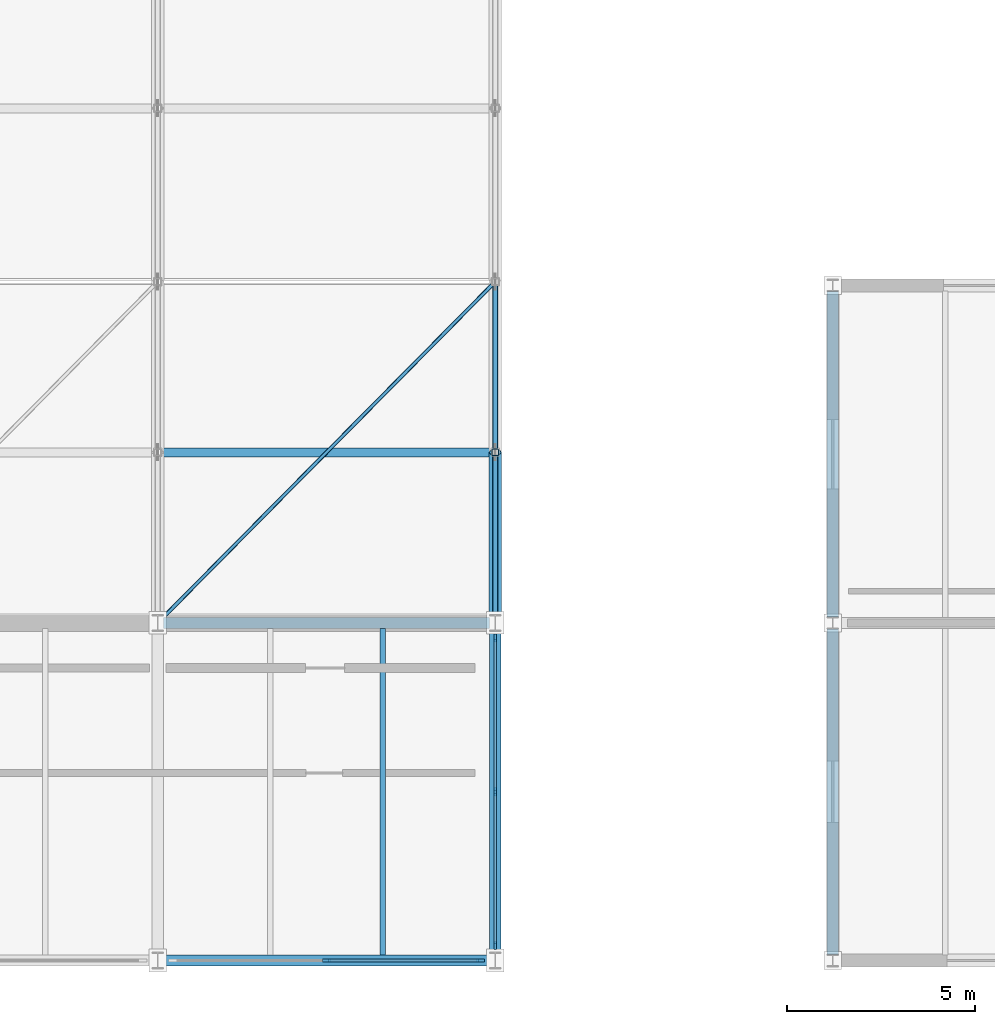
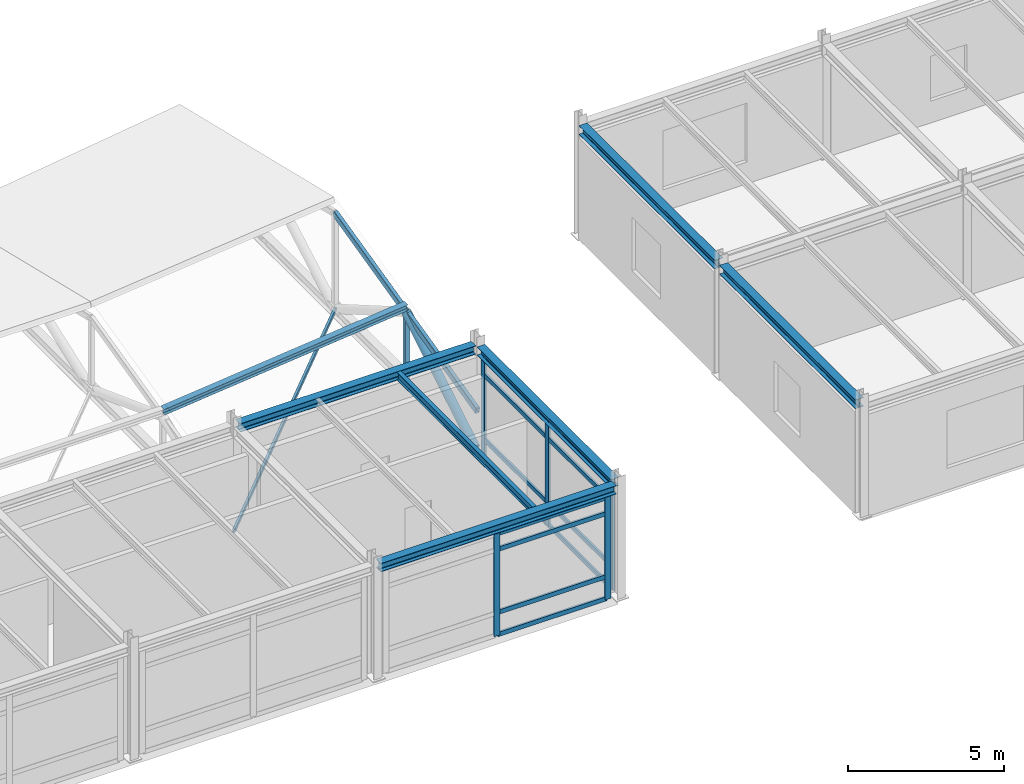
# One storey, part 25 of 90: 22 members, 6 beams, 2 elements without a shape of their own.
"""IFC4 building model written with IfcOpenShell, lengths in metres."""

from ifc_helpers import new_model, si_unit, direction, frame, origin, origin_2d, place, context, subcontext, project, spatial, rectangle, hollow_rectangle, hollow_circle, i_section, extrude, material, material_profile, profile_set, type_object, element, aggregate, save


model = new_model("IFC4")

# Units and contexts
model_context = context("Model", 3, precision=1e-05, world=origin(), true_north=direction((0.0, 1.0)))
body_context = subcontext(model_context, "Body", "Model", "MODEL_VIEW")
ifc_project = project(units=[si_unit("LENGTHUNIT", "METRE"), si_unit("AREAUNIT", "SQUARE_METRE"), si_unit("VOLUMEUNIT", "CUBIC_METRE"), si_unit("PLANEANGLEUNIT", "RADIAN"), si_unit("MASSUNIT", "GRAM", prefix="KILO")], contexts=[model_context])

# Site, building, storey
site_placement = place(None, origin())
site = spatial("IfcSite", under=ifc_project, at=site_placement, CompositionType="ELEMENT")
building_placement = place(site_placement, origin())
building = spatial("IfcBuilding", under=site, at=building_placement, Name="Bozkorgan Art Gallery", CompositionType="ELEMENT")
storey_placement = place(building_placement, frame((0.0, 0.0, 5.39990234375)))
storey = spatial("IfcBuildingStorey", under=building, at=storey_placement, Name="L01", CompositionType="ELEMENT", Elevation=5.39990234375)

# Beams
ifc_material_1 = material(Name="Steel S355J2", Category="steel")
ifc_material_profile_1 = material_profile(ifc_material_1, i_section(OverallWidth=0.14990234375, OverallDepth=0.300048828125, WebThickness=0.007080078125, FlangeThickness=0.0107421875, FilletRadius=0.014892578125, at=origin_2d()), Name="IPE 300")
ifc_profile_set_1 = profile_set([ifc_material_profile_1], Name="Steel S355J2")
beam_type_1 = type_object("IfcBeamType", Name="BEAM-JS-88", PredefinedType="JOIST", material=ifc_profile_set_1)
beam_1_placement = place(storey_placement, frame((116.0, 2.14990234375, 4.2900390625), z_axis=(0.0, 1.0, 0.0), x_axis=(-1.0, 0.0, 0.0)))
element("IfcBeam", 1, at=beam_1_placement, inside=storey, type_object=beam_type_1, Name="V3 L01 secondary joist (110-119, 2.0-11.0) #2", PredefinedType="JOIST", context=body_context, shape_type="SweptSolid", body=[
    extrude(i_section(OverallWidth=0.14990234375, OverallDepth=0.300048828125, WebThickness=0.007080078125, FlangeThickness=0.0107421875, FilletRadius=0.014892578125, at=origin_2d()), origin(), (0.0, 0.0, 1.0), 8.7001953125),
])
ifc_material_profile_2 = material_profile(ifc_material_1, i_section(OverallWidth=0.300048828125, OverallDepth=0.330078125, WebThickness=0.009521484375, FlangeThickness=0.0166015625, FilletRadius=0.027099609375, at=origin_2d()), Name="HEA 340")
ifc_profile_set_2 = profile_set([ifc_material_profile_2], Name="Steel S355J2")
beam_type_2 = type_object("IfcBeamType", Name="BEAM-SP-91", PredefinedType="SPANDREL", material=ifc_profile_set_2)
for number, where, z_axis, x_axis, name in (
    (2, (110.14990234375, 2.0, 4.275146484375), (1.0, 0.0, 0.0), (0.0, 1.0, 0.0), "V3 L01 spandrel X (110-119, 2.0)"),
    (3, (110.14990234375, 11.0, 4.275146484375), (1.0, 0.0, 0.0), (0.0, 1.0, 0.0), "V3 L01 spandrel X (110-119, 11.0)"),
):
    element("IfcBeam", number, at=place(storey_placement, frame(where, z_axis=z_axis, x_axis=x_axis)), inside=storey, type_object=beam_type_2, Name=name, PredefinedType="SPANDREL", context=body_context, shape_type="SweptSolid", body=[
        extrude(i_section(OverallWidth=0.300048828125, OverallDepth=0.330078125, WebThickness=0.009521484375, FlangeThickness=0.0166015625, FilletRadius=0.027099609375, at=origin_2d()), origin(), (0.0, 0.0, 1.0), 8.7001953125),
    ])
beam_2_placement = place(storey_placement, frame((119.0, 2.219970703125, 4.275146484375), z_axis=(0.0, 1.0, 0.0), x_axis=(-1.0, 0.0, 0.0)))
element("IfcBeam", 4, at=beam_2_placement, inside=storey, type_object=beam_type_2, Name="V3 L01 spandrel Y (119, 2.0-11.0)", PredefinedType="SPANDREL", context=body_context, shape_type="SweptSolid", body=[
    extrude(i_section(OverallWidth=0.300048828125, OverallDepth=0.330078125, WebThickness=0.009521484375, FlangeThickness=0.0166015625, FilletRadius=0.027099609375, at=origin_2d()), origin(), (0.0, 0.0, 1.0), 8.56005859375),
])
ifc_material_profile_3 = material_profile(ifc_material_1, i_section(OverallWidth=0.300048828125, OverallDepth=0.35009765625, WebThickness=0.010009765625, FlangeThickness=0.017578125, FilletRadius=0.027099609375, at=origin_2d()), Name="HEA 360")
ifc_profile_set_3 = profile_set([ifc_material_profile_3], Name="Steel S355J2")
beam_type_3 = type_object("IfcBeamType", Name="BEAM-SP-97", PredefinedType="SPANDREL", material=ifc_profile_set_3)
for number, where, z_axis, x_axis, name in (
    (5, (128.0, 2.159912109375, 4.26513671875), (0.0, 1.0, 0.0), (-1.0, 0.0, 0.0), "V6 L01 spandrel Y (128, 2.0-11.0)"),
    (6, (128.0, 11.159912109375, 4.26513671875), (0.0, 1.0, 0.0), (-1.0, 0.0, 0.0), "V6 L01 spandrel Y (128, 11.0-20.0)"),
):
    element("IfcBeam", number, at=place(storey_placement, frame(where, z_axis=z_axis, x_axis=x_axis)), inside=storey, type_object=beam_type_3, Name=name, PredefinedType="SPANDREL", context=body_context, shape_type="SweptSolid", body=[
        extrude(i_section(OverallWidth=0.300048828125, OverallDepth=0.35009765625, WebThickness=0.010009765625, FlangeThickness=0.017578125, FilletRadius=0.027099609375, at=origin_2d()), origin(), (0.0, 0.0, 1.0), 8.68017578125),
    ])

# Curtain wall, members
ifc_material_2 = material(Name="Anodised Bronze Aluminium", Category="aluminium")
curtain_wall_type_1 = type_object("IfcCurtainWallType", Name="CW-CW-44", PredefinedType="NOTDEFINED", material=ifc_material_2)
curtain_wall_1_placement = place(storey_placement, origin())
curtain_wall_1 = element("IfcCurtainWall", 7, at=curtain_wall_1_placement, inside=storey, type_object=curtain_wall_type_1, Name="L01 unitised curtain wall CW-V3-L01-1S-07", PredefinedType="NOTDEFINED")
ifc_material_profile_4 = material_profile(ifc_material_2, rectangle(XDim=0.074951171875, YDim=0.219970703125, at=origin_2d()), Name="ALU MULLION 75x220")
ifc_profile_set_4 = profile_set([ifc_material_profile_4], Name="Anodised Bronze Aluminium")
member_type_1 = type_object("IfcMemberType", Name="CWM-02", PredefinedType="MULLION", material=ifc_profile_set_4)
member_1_placement = place(storey_placement, frame((114.5, 2.0, 0.02001953125), z_axis=(0.0, 0.0, 1.0), x_axis=(0.0, 1.0, 0.0)))
member_1 = element("IfcMember", 8, at=member_1_placement, type_object=member_type_1, Name="CW-44 mullion 2", PredefinedType="MULLION", context=body_context, shape_type="SweptSolid", body=[
    extrude(rectangle(XDim=0.074951171875, YDim=0.219970703125, at=origin_2d()), origin(), (0.0, 0.0, 1.0), 4.01513671875),
])
member_2_placement = place(storey_placement, frame((118.597412109375, 2.0, 0.02001953125), z_axis=(0.0, 0.0, 1.0), x_axis=(0.0, 1.0, 0.0)))
member_2 = element("IfcMember", 9, at=member_2_placement, type_object=member_type_1, Name="CW-44 mullion 3", PredefinedType="MULLION", context=body_context, shape_type="SweptSolid", body=[
    extrude(rectangle(XDim=0.074951171875, YDim=0.219970703125, at=origin_2d()), origin(), (0.0, 0.0, 1.0), 4.01513671875),
])

curtain_wall_type_2 = type_object("IfcCurtainWallType", Name="CW-CW-84", PredefinedType="NOTDEFINED", material=ifc_material_2)
curtain_wall_2_placement = place(storey_placement, origin())
curtain_wall_2 = element("IfcCurtainWall", 10, at=curtain_wall_2_placement, inside=storey, type_object=curtain_wall_type_2, Name="L01 unitised curtain wall CW-V3-L01-1E-10", PredefinedType="NOTDEFINED")
member_3_placement = place(storey_placement, frame((119.0, 2.402587890625, 0.02001953125), z_axis=(0.0, 0.0, 1.0), x_axis=(-1.0, 0.0, 0.0)))
member_3 = element("IfcMember", 11, at=member_3_placement, type_object=member_type_1, Name="CW-84 mullion 1", PredefinedType="MULLION", context=body_context, shape_type="SweptSolid", body=[
    extrude(rectangle(XDim=0.074951171875, YDim=0.219970703125, at=origin_2d()), origin(), (0.0, 0.0, 1.0), 4.0751953125),
])
member_4_placement = place(storey_placement, frame((119.0, 6.5, 0.02001953125), z_axis=(0.0, 0.0, 1.0), x_axis=(-1.0, 0.0, 0.0)))
member_4 = element("IfcMember", 12, at=member_4_placement, type_object=member_type_1, Name="CW-84 mullion 2", PredefinedType="MULLION", context=body_context, shape_type="SweptSolid", body=[
    extrude(rectangle(XDim=0.074951171875, YDim=0.219970703125, at=origin_2d()), origin(), (0.0, 0.0, 1.0), 4.0751953125),
])
member_5_placement = place(storey_placement, frame((119.0, 10.597412109375, 0.02001953125), z_axis=(0.0, 0.0, 1.0), x_axis=(-1.0, 0.0, 0.0)))
member_5 = element("IfcMember", 13, at=member_5_placement, type_object=member_type_1, Name="CW-84 mullion 3", PredefinedType="MULLION", context=body_context, shape_type="SweptSolid", body=[
    extrude(rectangle(XDim=0.074951171875, YDim=0.219970703125, at=origin_2d()), origin(), (0.0, 0.0, 1.0), 4.0751953125),
])

# Member
ifc_material_profile_5 = material_profile(ifc_material_2, rectangle(XDim=0.074951171875, YDim=0.169921875, at=origin_2d()), Name="ALU TRANSOM 75x170")
ifc_profile_set_5 = profile_set([ifc_material_profile_5], Name="Anodised Bronze Aluminium")
member_type_2 = type_object("IfcMemberType", Name="CWT-02", PredefinedType="USERDEFINED", material=ifc_profile_set_5)
member_6_placement = place(storey_placement, frame((114.53759765625, 2.0, 0.0576171875), z_axis=(1.0, 0.0, 0.0), x_axis=(0.0, 1.0, 0.0)))
member_6 = element("IfcMember", 14, at=member_6_placement, type_object=member_type_2, Name="CW-44 transom 2.1", ObjectType="TRANSOM", PredefinedType="USERDEFINED", context=body_context, shape_type="SweptSolid", body=[
    extrude(rectangle(XDim=0.074951171875, YDim=0.169921875, at=origin_2d()), origin(), (0.0, 0.0, 1.0), 4.0224609375),
])

member_7_placement = place(storey_placement, frame((114.53759765625, 2.0, 0.920166015625), z_axis=(1.0, 0.0, 0.0), x_axis=(0.0, 1.0, 0.0)))
member_7 = element("IfcMember", 15, at=member_7_placement, type_object=member_type_2, Name="CW-44 transom 2.2", ObjectType="TRANSOM", PredefinedType="USERDEFINED", context=body_context, shape_type="SweptSolid", body=[
    extrude(rectangle(XDim=0.074951171875, YDim=0.169921875, at=origin_2d()), origin(), (0.0, 0.0, 1.0), 4.0224609375),
])

member_8_placement = place(storey_placement, frame((114.53759765625, 2.0, 3.385009765625), z_axis=(1.0, 0.0, 0.0), x_axis=(0.0, 1.0, 0.0)))
member_8 = element("IfcMember", 16, at=member_8_placement, type_object=member_type_2, Name="CW-44 transom 2.3", ObjectType="TRANSOM", PredefinedType="USERDEFINED", context=body_context, shape_type="SweptSolid", body=[
    extrude(rectangle(XDim=0.074951171875, YDim=0.169921875, at=origin_2d()), origin(), (0.0, 0.0, 1.0), 4.0224609375),
])

member_9_placement = place(storey_placement, frame((114.53759765625, 2.0, 3.99755859375), z_axis=(1.0, 0.0, 0.0), x_axis=(0.0, 1.0, 0.0)))
member_9 = element("IfcMember", 17, at=member_9_placement, type_object=member_type_2, Name="CW-44 transom 2.4", ObjectType="TRANSOM", PredefinedType="USERDEFINED", context=body_context, shape_type="SweptSolid", body=[
    extrude(rectangle(XDim=0.074951171875, YDim=0.169921875, at=origin_2d()), origin(), (0.0, 0.0, 1.0), 4.0224609375),
])

aggregate(curtain_wall_1, [member_1, member_2, member_6, member_7, member_8, member_9])

member_10_placement = place(storey_placement, frame((119.0, 2.43994140625, 0.0576171875), z_axis=(0.0, 1.0, 0.0), x_axis=(-1.0, 0.0, 0.0)))
member_10 = element("IfcMember", 18, at=member_10_placement, type_object=member_type_2, Name="CW-84 transom 1.1", ObjectType="TRANSOM", PredefinedType="USERDEFINED", context=body_context, shape_type="SweptSolid", body=[
    extrude(rectangle(XDim=0.074951171875, YDim=0.169921875, at=origin_2d()), origin(), (0.0, 0.0, 1.0), 4.0224609375),
])

member_11_placement = place(storey_placement, frame((119.0, 2.43994140625, 0.920166015625), z_axis=(0.0, 1.0, 0.0), x_axis=(-1.0, 0.0, 0.0)))
member_11 = element("IfcMember", 19, at=member_11_placement, type_object=member_type_2, Name="CW-84 transom 1.2", ObjectType="TRANSOM", PredefinedType="USERDEFINED", context=body_context, shape_type="SweptSolid", body=[
    extrude(rectangle(XDim=0.074951171875, YDim=0.169921875, at=origin_2d()), origin(), (0.0, 0.0, 1.0), 4.0224609375),
])

member_12_placement = place(storey_placement, frame((119.0, 2.43994140625, 3.445068359375), z_axis=(0.0, 1.0, 0.0), x_axis=(-1.0, 0.0, 0.0)))
member_12 = element("IfcMember", 20, at=member_12_placement, type_object=member_type_2, Name="CW-84 transom 1.3", ObjectType="TRANSOM", PredefinedType="USERDEFINED", context=body_context, shape_type="SweptSolid", body=[
    extrude(rectangle(XDim=0.074951171875, YDim=0.169921875, at=origin_2d()), origin(), (0.0, 0.0, 1.0), 4.0224609375),
])

member_13_placement = place(storey_placement, frame((119.0, 2.43994140625, 4.0576171875), z_axis=(0.0, 1.0, 0.0), x_axis=(-1.0, 0.0, 0.0)))
member_13 = element("IfcMember", 21, at=member_13_placement, type_object=member_type_2, Name="CW-84 transom 1.4", ObjectType="TRANSOM", PredefinedType="USERDEFINED", context=body_context, shape_type="SweptSolid", body=[
    extrude(rectangle(XDim=0.074951171875, YDim=0.169921875, at=origin_2d()), origin(), (0.0, 0.0, 1.0), 4.0224609375),
])

member_14_placement = place(storey_placement, frame((119.0, 6.53759765625, 0.0576171875), z_axis=(0.0, 1.0, 0.0), x_axis=(-1.0, 0.0, 0.0)))
member_14 = element("IfcMember", 22, at=member_14_placement, type_object=member_type_2, Name="CW-84 transom 2.1", ObjectType="TRANSOM", PredefinedType="USERDEFINED", context=body_context, shape_type="SweptSolid", body=[
    extrude(rectangle(XDim=0.074951171875, YDim=0.169921875, at=origin_2d()), origin(), (0.0, 0.0, 1.0), 4.0224609375),
])

member_15_placement = place(storey_placement, frame((119.0, 6.53759765625, 0.920166015625), z_axis=(0.0, 1.0, 0.0), x_axis=(-1.0, 0.0, 0.0)))
member_15 = element("IfcMember", 23, at=member_15_placement, type_object=member_type_2, Name="CW-84 transom 2.2", ObjectType="TRANSOM", PredefinedType="USERDEFINED", context=body_context, shape_type="SweptSolid", body=[
    extrude(rectangle(XDim=0.074951171875, YDim=0.169921875, at=origin_2d()), origin(), (0.0, 0.0, 1.0), 4.0224609375),
])

member_16_placement = place(storey_placement, frame((119.0, 6.53759765625, 3.445068359375), z_axis=(0.0, 1.0, 0.0), x_axis=(-1.0, 0.0, 0.0)))
member_16 = element("IfcMember", 24, at=member_16_placement, type_object=member_type_2, Name="CW-84 transom 2.3", ObjectType="TRANSOM", PredefinedType="USERDEFINED", context=body_context, shape_type="SweptSolid", body=[
    extrude(rectangle(XDim=0.074951171875, YDim=0.169921875, at=origin_2d()), origin(), (0.0, 0.0, 1.0), 4.0224609375),
])

member_17_placement = place(storey_placement, frame((119.0, 6.53759765625, 4.0576171875), z_axis=(0.0, 1.0, 0.0), x_axis=(-1.0, 0.0, 0.0)))
member_17 = element("IfcMember", 25, at=member_17_placement, type_object=member_type_2, Name="CW-84 transom 2.4", ObjectType="TRANSOM", PredefinedType="USERDEFINED", context=body_context, shape_type="SweptSolid", body=[
    extrude(rectangle(XDim=0.074951171875, YDim=0.169921875, at=origin_2d()), origin(), (0.0, 0.0, 1.0), 4.0224609375),
])

aggregate(curtain_wall_2, [member_3, member_4, member_5, member_10, member_11, member_12, member_13, member_14, member_15, member_16, member_17])

# Members
ifc_material_profile_6 = material_profile(ifc_material_1, i_section(OverallWidth=0.239990234375, OverallDepth=0.22998046875, WebThickness=0.007568359375, FlangeThickness=0.011962890625, FilletRadius=0.02099609375, at=origin_2d()), Name="HEA 240")
ifc_profile_set_6 = profile_set([ifc_material_profile_6], Name="Steel S355J2")
member_type_3 = type_object("IfcMemberType", Name="MEMBER-PR-93", PredefinedType="PURLIN", material=ifc_profile_set_6)
member_18_placement = place(storey_placement, frame((110.0, 15.550048828125, 2.161376953125), z_axis=(0.994598929439, 0.0, 0.103792916709), x_axis=(0.0, 1.0, 0.0)))
element("IfcMember", 26, at=member_18_placement, inside=storey, type_object=member_type_3, Name="ROOF-V3-BOWL roof purlin 4S", PredefinedType="PURLIN", context=body_context, shape_type="SweptSolid", body=[
    extrude(i_section(OverallWidth=0.239990234375, OverallDepth=0.22998046875, WebThickness=0.007568359375, FlangeThickness=0.011962890625, FilletRadius=0.02099609375, at=origin_2d()), origin(), (0.0, 0.0, 1.0), 9.048828125),
])
ifc_material_profile_7 = material_profile(ifc_material_1, hollow_rectangle(XDim=0.14990234375, YDim=0.25, WallThickness=0.010009765625, InnerFilletRadius=0.014892578125, OuterFilletRadius=0.02490234375, at=origin_2d()), Name="RHS 250x150x10")
ifc_profile_set_7 = profile_set([ifc_material_profile_7], Name="Steel S355J2")
member_type_4 = type_object("IfcMemberType", Name="MEMBER-TC-35", PredefinedType="CHORD", material=ifc_profile_set_7)
member_19_placement = place(storey_placement, frame((119.0, 11.0, 1.768310546875), z_axis=(0.0, 0.97237403975, 0.233428204853), x_axis=(-1.0, 0.0, 0.0)))
element("IfcMember", 27, at=member_19_placement, inside=storey, type_object=member_type_4, Name="ROOF-V3-BOWL roof truss 5 south top chord", PredefinedType="CHORD", context=body_context, shape_type="SweptSolid", body=[
    extrude(hollow_rectangle(XDim=0.14990234375, YDim=0.25, WallThickness=0.010009765625, InnerFilletRadius=0.014892578125, OuterFilletRadius=0.02490234375, at=origin_2d()), origin(), (0.0, 0.0, 1.0), 9.358642578125),
])
ifc_material_profile_8 = material_profile(ifc_material_1, hollow_rectangle(XDim=0.179931640625, YDim=0.179931640625, WallThickness=0.010009765625, InnerFilletRadius=0.014892578125, OuterFilletRadius=0.02490234375, at=origin_2d()), Name="SHS 180x180x10")
ifc_profile_set_8 = profile_set([ifc_material_profile_8], Name="Steel S355J2")
member_type_5 = type_object("IfcMemberType", Name="MEMBER-TP-98", PredefinedType="POST", material=ifc_profile_set_8)
member_20_placement = place(storey_placement, frame((119.0, 15.550048828125, 0.22509765625), z_axis=(0.0, 0.0, 1.0), x_axis=(1.0, 0.0, 0.0)))
element("IfcMember", 28, at=member_20_placement, inside=storey, type_object=member_type_5, Name="ROOF-V3-BOWL roof truss 5 post 1", PredefinedType="POST", context=body_context, shape_type="SweptSolid", body=[
    extrude(hollow_rectangle(XDim=0.179931640625, YDim=0.179931640625, WallThickness=0.010009765625, InnerFilletRadius=0.014892578125, OuterFilletRadius=0.02490234375, at=origin_2d()), origin(), (0.0, 0.0, 1.0), 2.635498046875),
])
ifc_material_profile_9 = material_profile(ifc_material_1, hollow_circle(Radius=0.161865234375, WallThickness=0.012451171875, at=origin_2d()), Name="CHS 323.9x12.5")
ifc_profile_set_9 = profile_set([ifc_material_profile_9], Name="Steel S355J2")
member_type_6 = type_object("IfcMemberType", Name="MEMBER-TW-97", PredefinedType="BRACE", material=ifc_profile_set_9)
member_21_placement = place(storey_placement, frame((119.0, 11.14990234375, 0.22509765625), z_axis=(0.0, 0.857887469884, 0.513837609577), x_axis=(-1.0, 0.0, 0.0)))
element("IfcMember", 29, at=member_21_placement, inside=storey, type_object=member_type_6, Name="ROOF-V3-BOWL roof truss 5 diagonal 1", PredefinedType="BRACE", context=body_context, shape_type="SweptSolid", body=[
    extrude(hollow_circle(Radius=0.161865234375, WallThickness=0.012451171875, at=origin_2d()), origin(), (0.0, 0.0, 1.0), 5.129150390625),
])
ifc_material_profile_10 = material_profile(ifc_material_1, hollow_rectangle(XDim=0.10009765625, YDim=0.14990234375, WallThickness=0.008056640625, InnerFilletRadius=0.011962890625, OuterFilletRadius=0.02001953125, at=origin_2d()), Name="RHS 150x100x8")
ifc_profile_set_10 = profile_set([ifc_material_profile_10], Name="Steel S355J2")
member_type_7 = type_object("IfcMemberType", Name="MEMBER-WB-10", PredefinedType="BRACE", material=ifc_profile_set_10)
member_22_placement = place(storey_placement, frame((110.0, 11.0, 0.22509765625), z_axis=(0.703185567055, 0.711006370074, 0.0), x_axis=(-0.711006370074, 0.703185567055, 0.0)))
element("IfcMember", 30, at=member_22_placement, inside=storey, type_object=member_type_7, Name="ROOF-V3-BOWL roof diaphragm wind brace 4", PredefinedType="BRACE", context=body_context, shape_type="SweptSolid", body=[
    extrude(hollow_rectangle(XDim=0.10009765625, YDim=0.14990234375, WallThickness=0.008056640625, InnerFilletRadius=0.011962890625, OuterFilletRadius=0.02001953125, at=origin_2d()), origin(), (0.0, 0.0, 1.0), 12.798828125),
])

save(model, "model.ifc")
